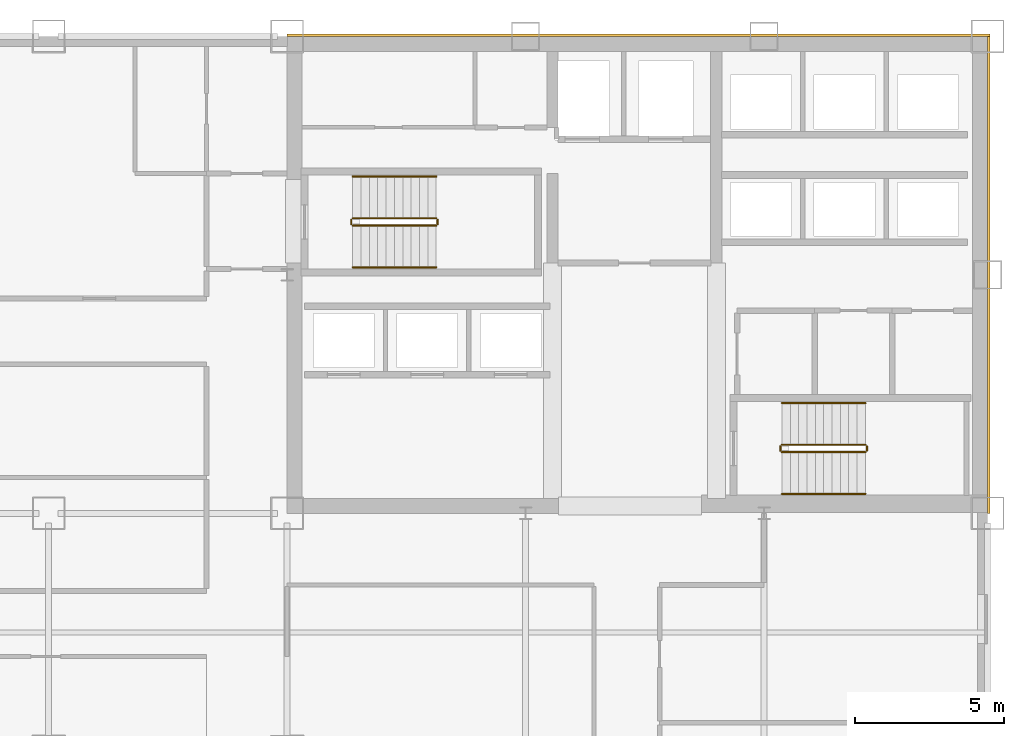
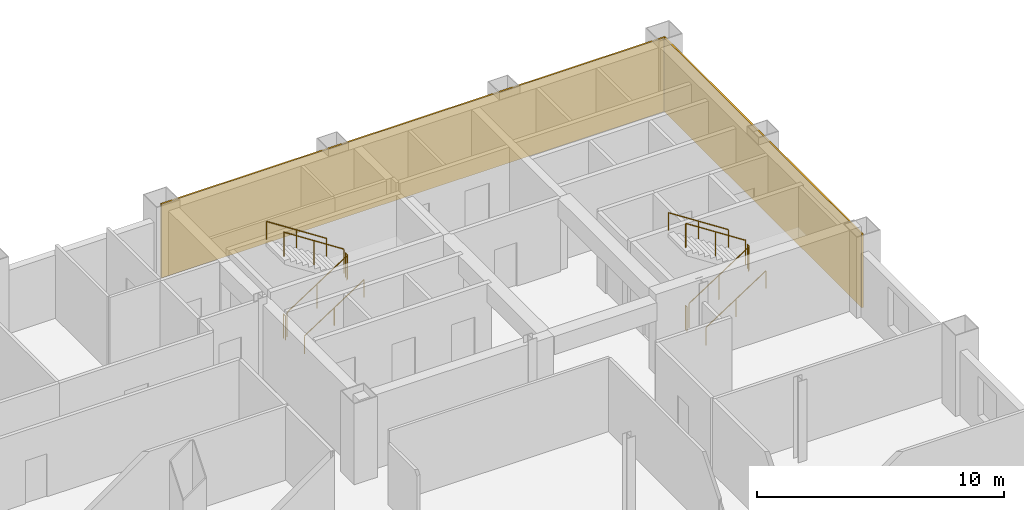
# One storey, part 10 of 10: 12 railings, 2 coverings.
"""IFC4 building model written with IfcOpenShell, lengths in metres."""

from ifc_helpers import new_model, si_unit, direction, frame, origin, origin_2d, place, context, subcontext, project, spatial, rectangle, circle, extrude, material, layer, layer_set, type_object, element, save


model = new_model("IFC4")

# Units and contexts
model_context = context("Model", 3, precision=1e-05, world=origin(), true_north=direction((0.0, 1.0)))
body_context = subcontext(model_context, "Body", "Model", "MODEL_VIEW")
ifc_project = project(units=[si_unit("LENGTHUNIT", "METRE"), si_unit("AREAUNIT", "SQUARE_METRE"), si_unit("VOLUMEUNIT", "CUBIC_METRE"), si_unit("PLANEANGLEUNIT", "RADIAN"), si_unit("MASSUNIT", "GRAM", prefix="KILO")], contexts=[model_context])

# Site, building, storey
site_placement = place(None, origin())
site = spatial("IfcSite", under=ifc_project, at=site_placement, CompositionType="ELEMENT")
building_placement = place(site_placement, origin())
building = spatial("IfcBuilding", under=site, at=building_placement, Name="Qianrong Seaharbour Tower", CompositionType="ELEMENT")
storey_placement = place(building_placement, frame((0.0, 0.0, 191.0)))
storey = spatial("IfcBuildingStorey", under=building, at=storey_placement, Name="L46", CompositionType="ELEMENT", Elevation=191.0)

# Coverings
ifc_material_1 = material(Name="Unitised red brick cladding on Precast concrete C45/55", Category="masonry")
ifc_layer = layer(ifc_material_1, 0.080078125)
ifc_layer_set = layer_set([ifc_layer], Name="Unitised red brick cladding on Precast concrete C45/55")
covering_type = type_object("IfcCoveringType", Name="COV-CLAD-RED-BRICK-80", PredefinedType="CLADDING", material=ifc_layer_set)
covering_1_placement = place(storey_placement, frame((52.2900390625, 52.0400390625, 0.0), z_axis=(0.0, 0.0, 1.0), x_axis=(1.0, 0.0, 0.0)))
element("IfcCovering", 1, at=covering_1_placement, inside=storey, type_object=covering_type, Name="L46 North Core Brick Veneer Cladding", PredefinedType="CLADDING", context=body_context, shape_type="SweptSolid", body=[
    extrude(rectangle(XDim=23.580078125, YDim=0.080078125, at=origin_2d()), origin(), (0.0, 0.0, 1.0), 3.64990234375),
])
covering_2_placement = place(storey_placement, frame((64.0400390625, 44.0, 0.0), z_axis=(0.0, 0.0, 1.0), x_axis=(1.0, 0.0, 0.0)))
element("IfcCovering", 2, at=covering_2_placement, inside=storey, type_object=covering_type, Name="L46 East Core Brick Veneer Cladding", PredefinedType="CLADDING", context=body_context, shape_type="SweptSolid", body=[
    extrude(rectangle(XDim=0.080078125, YDim=16.0, at=origin_2d()), origin(), (0.0, 0.0, 1.0), 3.64990234375),
])

# Railings
ifc_material_2 = material(Name="Galvanized painted steel SN400B stair guard", Category="steel")
railing_type_1 = type_object("IfcRailingType", Name="RAIL-STAIR-GUARD-1220", PredefinedType="GUARDRAIL", material=ifc_material_2)
railing_1_placement = place(storey_placement, frame((42.699951171875, 45.64990234375, 0.181884765625)))
element("IfcRailing", 3, at=railing_1_placement, inside=storey, type_object=railing_type_1, Name="L46 ST-1 stair guard 1", PredefinedType="GUARDRAIL", context=body_context, shape_type="SweptSolid", body=[
    extrude(circle(Radius=0.02392578125, at=origin_2d()), frame((0.0, 0.0, 1.19580078125), z_axis=(0.838705829183, 0.0, 0.544584733623), x_axis=(0.0, 1.0, 0.0)), (0.0, 0.0, 1.0), 3.338623046875),
    extrude(circle(Radius=0.02099609375, at=origin_2d()), origin(), (0.0, 0.0, 1.0), 1.171875),
    extrude(circle(Radius=0.02099609375, at=origin_2d()), frame((1.39990234375, 0.0, 0.9091796875)), (0.0, 0.0, 1.0), 1.171875),
    extrude(circle(Radius=0.02099609375, at=origin_2d()), frame((2.800048828125, 0.0, 1.818115234375)), (0.0, 0.0, 1.0), 1.171875),
])
railing_2_placement = place(storey_placement, frame((45.550048828125, 45.699951171875, 2.0)))
element("IfcRailing", 4, at=railing_2_placement, inside=storey, type_object=railing_type_1, Name="L46 ST-1 stair guard 2", PredefinedType="GUARDRAIL", context=body_context, shape_type="SweptSolid", body=[
    extrude(circle(Radius=0.02392578125, at=origin_2d()), frame((0.0, 0.0, 1.19580078125), z_axis=(0.0, 1.0, 0.0), x_axis=(-1.0, 0.0, 0.0)), (0.0, 0.0, 1.0), 0.150146484375),
    extrude(circle(Radius=0.02099609375, at=origin_2d()), origin(), (0.0, 0.0, 1.0), 1.171875),
    extrude(circle(Radius=0.02099609375, at=origin_2d()), frame((0.0, 0.150146484375, 0.0)), (0.0, 0.0, 1.0), 1.171875),
])
railing_3_placement = place(storey_placement, frame((45.5, 45.89990234375, 2.181884765625)))
element("IfcRailing", 5, at=railing_3_placement, inside=storey, type_object=railing_type_1, Name="L46 ST-1 stair guard 3", PredefinedType="GUARDRAIL", context=body_context, shape_type="SweptSolid", body=[
    extrude(circle(Radius=0.02392578125, at=origin_2d()), frame((0.0, 0.0, 1.19580078125), z_axis=(-0.838705829183, 0.0, 0.544584733623), x_axis=(0.0, -1.0, 0.0)), (0.0, 0.0, 1.0), 3.338623046875),
    extrude(circle(Radius=0.02099609375, at=origin_2d()), origin(), (0.0, 0.0, 1.0), 1.171875),
    extrude(circle(Radius=0.02099609375, at=origin_2d()), frame((-1.39990234375, 0.0, 0.9091796875)), (0.0, 0.0, 1.0), 1.171875),
    extrude(circle(Radius=0.02099609375, at=origin_2d()), frame((-2.800048828125, 0.0, 1.818115234375)), (0.0, 0.0, 1.0), 1.171875),
])
railing_4_placement = place(storey_placement, frame((42.64990234375, 45.699951171875, 0.0)))
element("IfcRailing", 6, at=railing_4_placement, inside=storey, type_object=railing_type_1, Name="L46 ST-1 stair guard 4", PredefinedType="GUARDRAIL", context=body_context, shape_type="SweptSolid", body=[
    extrude(circle(Radius=0.02392578125, at=origin_2d()), frame((0.0, 0.0, 1.19580078125), z_axis=(0.0, 1.0, 0.0), x_axis=(-1.0, 0.0, 0.0)), (0.0, 0.0, 1.0), 0.150146484375),
    extrude(circle(Radius=0.02099609375, at=origin_2d()), origin(), (0.0, 0.0, 1.0), 1.171875),
    extrude(circle(Radius=0.02099609375, at=origin_2d()), frame((0.0, 0.150146484375, 0.0)), (0.0, 0.0, 1.0), 1.171875),
])
railing_5_placement = place(storey_placement, frame((57.10009765625, 38.050048828125, 0.181884765625)))
element("IfcRailing", 7, at=railing_5_placement, inside=storey, type_object=railing_type_1, Name="L46 ST-2 stair guard 1", PredefinedType="GUARDRAIL", context=body_context, shape_type="SweptSolid", body=[
    extrude(circle(Radius=0.02392578125, at=origin_2d()), frame((0.0, 0.0, 1.19580078125), z_axis=(0.83868413941, 0.0, 0.544618136222), x_axis=(0.0, 1.0, 0.0)), (0.0, 0.0, 1.0), 3.33837890625),
    extrude(circle(Radius=0.02099609375, at=origin_2d()), origin(), (0.0, 0.0, 1.0), 1.171875),
    extrude(circle(Radius=0.02099609375, at=origin_2d()), frame((1.39990234375, 0.0, 0.9091796875)), (0.0, 0.0, 1.0), 1.171875),
    extrude(circle(Radius=0.02099609375, at=origin_2d()), frame((2.7998046875, 0.0, 1.818115234375)), (0.0, 0.0, 1.0), 1.171875),
])
railing_6_placement = place(storey_placement, frame((59.949951171875, 38.10009765625, 2.0)))
element("IfcRailing", 8, at=railing_6_placement, inside=storey, type_object=railing_type_1, Name="L46 ST-2 stair guard 2", PredefinedType="GUARDRAIL", context=body_context, shape_type="SweptSolid", body=[
    extrude(circle(Radius=0.02392578125, at=origin_2d()), frame((0.0, 0.0, 1.19580078125), z_axis=(0.0, 1.0, 0.0), x_axis=(-1.0, 0.0, 0.0)), (0.0, 0.0, 1.0), 0.14990234375),
    extrude(circle(Radius=0.02099609375, at=origin_2d()), origin(), (0.0, 0.0, 1.0), 1.171875),
    extrude(circle(Radius=0.02099609375, at=origin_2d()), frame((0.0, 0.14990234375, 0.0)), (0.0, 0.0, 1.0), 1.171875),
])
railing_7_placement = place(storey_placement, frame((59.89990234375, 38.300048828125, 2.181884765625)))
element("IfcRailing", 9, at=railing_7_placement, inside=storey, type_object=railing_type_1, Name="L46 ST-2 stair guard 3", PredefinedType="GUARDRAIL", context=body_context, shape_type="SweptSolid", body=[
    extrude(circle(Radius=0.02392578125, at=origin_2d()), frame((0.0, 0.0, 1.19580078125), z_axis=(-0.83868413941, 0.0, 0.544618136222), x_axis=(0.0, -1.0, 0.0)), (0.0, 0.0, 1.0), 3.33837890625),
    extrude(circle(Radius=0.02099609375, at=origin_2d()), origin(), (0.0, 0.0, 1.0), 1.171875),
    extrude(circle(Radius=0.02099609375, at=origin_2d()), frame((-1.39990234375, 0.0, 0.9091796875)), (0.0, 0.0, 1.0), 1.171875),
    extrude(circle(Radius=0.02099609375, at=origin_2d()), frame((-2.7998046875, 0.0, 1.818115234375)), (0.0, 0.0, 1.0), 1.171875),
])
railing_8_placement = place(storey_placement, frame((57.050048828125, 38.10009765625, 0.0)))
element("IfcRailing", 10, at=railing_8_placement, inside=storey, type_object=railing_type_1, Name="L46 ST-2 stair guard 4", PredefinedType="GUARDRAIL", context=body_context, shape_type="SweptSolid", body=[
    extrude(circle(Radius=0.02392578125, at=origin_2d()), frame((0.0, 0.0, 1.19580078125), z_axis=(0.0, 1.0, 0.0), x_axis=(-1.0, 0.0, 0.0)), (0.0, 0.0, 1.0), 0.14990234375),
    extrude(circle(Radius=0.02099609375, at=origin_2d()), origin(), (0.0, 0.0, 1.0), 1.171875),
    extrude(circle(Radius=0.02099609375, at=origin_2d()), frame((0.0, 0.14990234375, 0.0)), (0.0, 0.0, 1.0), 1.171875),
])
ifc_material_3 = material(Name="Stainless steel SUS316L continuous handrail", Category="steel")
railing_type_2 = type_object("IfcRailingType", Name="RAIL-STAIR-HANDRAIL-900", PredefinedType="HANDRAIL", material=ifc_material_3)
railing_9_placement = place(storey_placement, frame((42.699951171875, 44.25, 0.181884765625)))
element("IfcRailing", 11, at=railing_9_placement, inside=storey, type_object=railing_type_2, Name="L46 ST-1 stair handrail 1", PredefinedType="HANDRAIL", context=body_context, shape_type="SweptSolid", body=[
    extrude(circle(Radius=0.02392578125, at=origin_2d()), frame((0.0, 0.0, 0.8759765625), z_axis=(0.838705829183, 0.0, 0.544584733623), x_axis=(0.0, 1.0, 0.0)), (0.0, 0.0, 1.0), 3.338623046875),
    extrude(circle(Radius=0.02099609375, at=origin_2d()), origin(), (0.0, 0.0, 1.0), 0.851806640625),
    extrude(circle(Radius=0.02099609375, at=origin_2d()), frame((1.39990234375, 0.0, 0.9091796875)), (0.0, 0.0, 1.0), 0.851806640625),
    extrude(circle(Radius=0.02099609375, at=origin_2d()), frame((2.800048828125, 0.0, 1.818115234375)), (0.0, 0.0, 1.0), 0.851806640625),
])
railing_10_placement = place(storey_placement, frame((45.5, 47.300048828125, 2.181884765625)))
element("IfcRailing", 12, at=railing_10_placement, inside=storey, type_object=railing_type_2, Name="L46 ST-1 stair handrail 2", PredefinedType="HANDRAIL", context=body_context, shape_type="SweptSolid", body=[
    extrude(circle(Radius=0.02392578125, at=origin_2d()), frame((0.0, 0.0, 0.8759765625), z_axis=(-0.838705829183, 0.0, 0.544584733623), x_axis=(0.0, -1.0, 0.0)), (0.0, 0.0, 1.0), 3.338623046875),
    extrude(circle(Radius=0.02099609375, at=origin_2d()), origin(), (0.0, 0.0, 1.0), 0.851806640625),
    extrude(circle(Radius=0.02099609375, at=origin_2d()), frame((-1.39990234375, 0.0, 0.9091796875)), (0.0, 0.0, 1.0), 0.851806640625),
    extrude(circle(Radius=0.02099609375, at=origin_2d()), frame((-2.800048828125, 0.0, 1.818115234375)), (0.0, 0.0, 1.0), 0.851806640625),
])
railing_11_placement = place(storey_placement, frame((57.10009765625, 36.64990234375, 0.181884765625)))
element("IfcRailing", 13, at=railing_11_placement, inside=storey, type_object=railing_type_2, Name="L46 ST-2 stair handrail 1", PredefinedType="HANDRAIL", context=body_context, shape_type="SweptSolid", body=[
    extrude(circle(Radius=0.02392578125, at=origin_2d()), frame((0.0, 0.0, 0.8759765625), z_axis=(0.83868413941, 0.0, 0.544618136222), x_axis=(0.0, 1.0, 0.0)), (0.0, 0.0, 1.0), 3.33837890625),
    extrude(circle(Radius=0.02099609375, at=origin_2d()), origin(), (0.0, 0.0, 1.0), 0.851806640625),
    extrude(circle(Radius=0.02099609375, at=origin_2d()), frame((1.39990234375, 0.0, 0.9091796875)), (0.0, 0.0, 1.0), 0.851806640625),
    extrude(circle(Radius=0.02099609375, at=origin_2d()), frame((2.7998046875, 0.0, 1.818115234375)), (0.0, 0.0, 1.0), 0.851806640625),
])
railing_12_placement = place(storey_placement, frame((59.89990234375, 39.699951171875, 2.181884765625)))
element("IfcRailing", 14, at=railing_12_placement, inside=storey, type_object=railing_type_2, Name="L46 ST-2 stair handrail 2", PredefinedType="HANDRAIL", context=body_context, shape_type="SweptSolid", body=[
    extrude(circle(Radius=0.02392578125, at=origin_2d()), frame((0.0, 0.0, 0.8759765625), z_axis=(-0.83868413941, 0.0, 0.544618136222), x_axis=(0.0, -1.0, 0.0)), (0.0, 0.0, 1.0), 3.33837890625),
    extrude(circle(Radius=0.02099609375, at=origin_2d()), origin(), (0.0, 0.0, 1.0), 0.851806640625),
    extrude(circle(Radius=0.02099609375, at=origin_2d()), frame((-1.39990234375, 0.0, 0.9091796875)), (0.0, 0.0, 1.0), 0.851806640625),
    extrude(circle(Radius=0.02099609375, at=origin_2d()), frame((-2.7998046875, 0.0, 1.818115234375)), (0.0, 0.0, 1.0), 0.851806640625),
])

save(model, "model.ifc")
